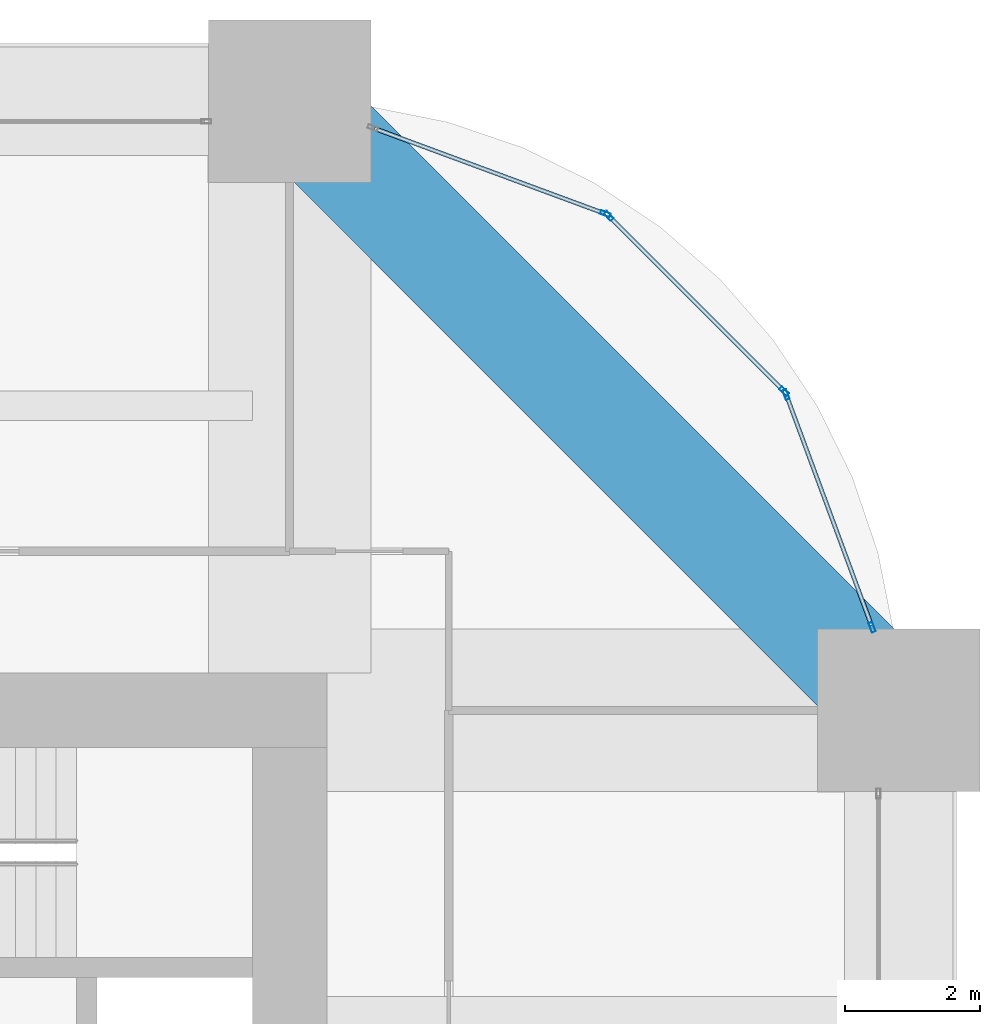
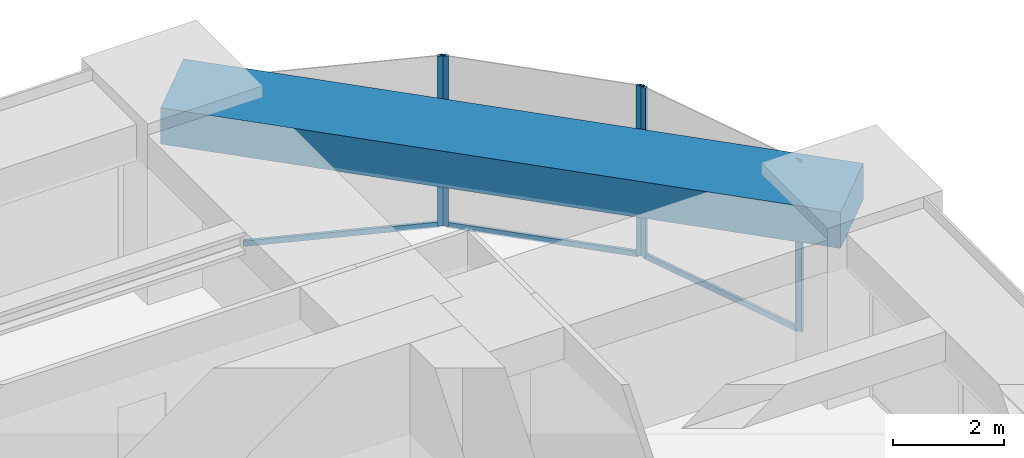
# One storey, part 28 of 34: 8 members, 1 beam, 3 elements without a shape of their own.
"""IFC4 building model written with IfcOpenShell, lengths in metres."""

from ifc_helpers import new_model, si_unit, direction, frame, origin, origin_2d, place, context, subcontext, project, spatial, rectangle, hollow_rectangle, extrude, material, material_profile, profile_set, type_object, element, aggregate, save


model = new_model("IFC4")

# Units and contexts
model_context = context("Model", 3, precision=1e-05, world=origin(), true_north=direction((0.0, 1.0)))
body_context = subcontext(model_context, "Body", "Model", "MODEL_VIEW")
ifc_project = project(units=[si_unit("LENGTHUNIT", "METRE"), si_unit("AREAUNIT", "SQUARE_METRE"), si_unit("VOLUMEUNIT", "CUBIC_METRE"), si_unit("PLANEANGLEUNIT", "RADIAN"), si_unit("MASSUNIT", "GRAM", prefix="KILO")], contexts=[model_context])

# Site, building, storey
site_placement = place(None, origin())
site = spatial("IfcSite", under=ifc_project, at=site_placement, CompositionType="ELEMENT")
building_placement = place(site_placement, origin())
building = spatial("IfcBuilding", under=site, at=building_placement, Name="Zorevar Civic Tower", CompositionType="ELEMENT")
storey_placement = place(building_placement, frame((0.0, 0.0, 226.199951171875)))
storey = spatial("IfcBuildingStorey", under=building, at=storey_placement, Name="L55", CompositionType="ELEMENT", Elevation=226.199951171875)

# Curtain wall, members
ifc_material_1 = material(Name="Dark grey solar-control glass in black aluminium frame", Category="aluminium")
curtain_wall_type = type_object("IfcCurtainWallType", Name="Curtain wall CW4 high zone", PredefinedType="NOTDEFINED", material=ifc_material_1)
curtain_wall_1_placement = place(storey_placement, origin())
curtain_wall_1 = element("IfcCurtainWall", 1, at=curtain_wall_1_placement, inside=storey, type_object=curtain_wall_type, Name="CW4 L55", PredefinedType="NOTDEFINED")
ifc_material_2 = material(Name="Aluminium, black anodised", Category="aluminium")
ifc_material_profile_1 = material_profile(ifc_material_2, hollow_rectangle(XDim=0.06005859375, YDim=0.14990234375, WallThickness=0.00390625, at=origin_2d()), Name="AL 150x60x4")
ifc_profile_set_1 = profile_set([ifc_material_profile_1], Name="Aluminium, black anodised")
member_type_1 = type_object("IfcMemberType", Name="CW4 mullion AL 150x60x4", PredefinedType="MULLION", material=ifc_profile_set_1)
member_1_placement = place(storey_placement, frame((53.6064453125, 37.22802734375, 0.0), z_axis=(0.0, 0.0, 1.0), x_axis=(-0.937974588163, -0.346704012033, 0.0)))
member_1 = element("IfcMember", 2, at=member_1_placement, type_object=member_type_1, Name="CW4 mullion 1", PredefinedType="MULLION", context=body_context, shape_type="SweptSolid", body=[
    extrude(hollow_rectangle(XDim=0.06005859375, YDim=0.14990234375, WallThickness=0.00390625, at=origin_2d()), origin(), (0.0, 0.0, 1.0), 3.75),
])
member_2_placement = place(storey_placement, frame((52.336181640625, 40.66455078125, 0.0), z_axis=(0.0, 0.0, 1.0), x_axis=(-0.937974588163, -0.346704012033, 0.0)))
member_2 = element("IfcMember", 3, at=member_2_placement, type_object=member_type_1, Name="CW4 mullion 2", PredefinedType="MULLION", context=body_context, shape_type="SweptSolid", body=[
    extrude(hollow_rectangle(XDim=0.06005859375, YDim=0.14990234375, WallThickness=0.00390625, at=origin_2d()), origin(), (0.0, 0.0, 1.0), 3.75),
])

curtain_wall_2_placement = place(storey_placement, origin())
curtain_wall_2 = element("IfcCurtainWall", 4, at=curtain_wall_2_placement, inside=storey, type_object=curtain_wall_type, Name="CW4 L55", PredefinedType="NOTDEFINED")
member_3_placement = place(storey_placement, frame((52.3046875, 40.7138671875, 0.0), z_axis=(0.0, 0.0, 1.0), x_axis=(-0.707106781187, -0.707106781187, 0.0)))
member_3 = element("IfcMember", 5, at=member_3_placement, type_object=member_type_1, Name="CW4 mullion 1", PredefinedType="MULLION", context=body_context, shape_type="SweptSolid", body=[
    extrude(hollow_rectangle(XDim=0.06005859375, YDim=0.14990234375, WallThickness=0.00390625, at=origin_2d()), origin(), (0.0, 0.0, 1.0), 3.75),
])
member_4_placement = place(storey_placement, frame((49.7138671875, 43.3046875, 0.0), z_axis=(0.0, 0.0, 1.0), x_axis=(-0.707106781187, -0.707106781187, 0.0)))
member_4 = element("IfcMember", 6, at=member_4_placement, type_object=member_type_1, Name="CW4 mullion 2", PredefinedType="MULLION", context=body_context, shape_type="SweptSolid", body=[
    extrude(hollow_rectangle(XDim=0.06005859375, YDim=0.14990234375, WallThickness=0.00390625, at=origin_2d()), origin(), (0.0, 0.0, 1.0), 3.75),
])

# Curtain wall, member
curtain_wall_3_placement = place(storey_placement, origin())
curtain_wall_3 = element("IfcCurtainWall", 7, at=curtain_wall_3_placement, inside=storey, type_object=curtain_wall_type, Name="CW4 L55", PredefinedType="NOTDEFINED")
member_5_placement = place(storey_placement, frame((49.66455078125, 43.336181640625, 0.0), z_axis=(0.0, 0.0, 1.0), x_axis=(-0.346704012033, -0.937974588163, 0.0)))
member_5 = element("IfcMember", 8, at=member_5_placement, type_object=member_type_1, Name="CW4 mullion 1", PredefinedType="MULLION", context=body_context, shape_type="SweptSolid", body=[
    extrude(hollow_rectangle(XDim=0.06005859375, YDim=0.14990234375, WallThickness=0.00390625, at=origin_2d()), origin(), (0.0, 0.0, 1.0), 3.75),
])

# Member
ifc_material_3 = material(Name="Aluminium, black anodised", Category="aluminium")
ifc_material_profile_2 = material_profile(ifc_material_3, hollow_rectangle(XDim=0.06005859375, YDim=0.1201171875, WallThickness=0.0029296875, at=origin_2d()), Name="AL 120x60x3")
ifc_profile_set_2 = profile_set([ifc_material_profile_2], Name="Aluminium, black anodised")
member_type_2 = type_object("IfcMemberType", Name="CW4 transom AL 120x60x3", PredefinedType="USERDEFINED", material=ifc_profile_set_2)
member_6_placement = place(storey_placement, frame((53.595947265625, 37.25634765625, 0.030029296875), z_axis=(-0.346672169799, 0.93798635741, 0.0), x_axis=(-0.93798635741, -0.346672169799, 0.0)))
member_6 = element("IfcMember", 9, at=member_6_placement, type_object=member_type_2, Name="CW4 sill transom", ObjectType="TRANSOM", PredefinedType="USERDEFINED", context=body_context, shape_type="SweptSolid", body=[
    extrude(hollow_rectangle(XDim=0.06005859375, YDim=0.1201171875, WallThickness=0.0029296875, at=origin_2d()), origin(), (0.0, 0.0, 1.0), 3.603515625),
])

aggregate(curtain_wall_1, [member_1, member_2, member_6])

member_7_placement = place(storey_placement, frame((52.283447265625, 40.735107421875, 0.030029296875), z_axis=(-0.707106781187, 0.707106781187, 0.0), x_axis=(-0.707106781187, -0.707106781187, 0.0)))
member_7 = element("IfcMember", 10, at=member_7_placement, type_object=member_type_2, Name="CW4 sill transom", ObjectType="TRANSOM", PredefinedType="USERDEFINED", context=body_context, shape_type="SweptSolid", body=[
    extrude(hollow_rectangle(XDim=0.06005859375, YDim=0.1201171875, WallThickness=0.0029296875, at=origin_2d()), origin(), (0.0, 0.0, 1.0), 3.60400390625),
])

aggregate(curtain_wall_2, [member_3, member_4, member_7])

member_8_placement = place(storey_placement, frame((49.636474609375, 43.3466796875, 0.030029296875), z_axis=(-0.93798635741, 0.346672169799, 0.0), x_axis=(-0.346672169799, -0.93798635741, 0.0)))
member_8 = element("IfcMember", 11, at=member_8_placement, type_object=member_type_2, Name="CW4 sill transom", ObjectType="TRANSOM", PredefinedType="USERDEFINED", context=body_context, shape_type="SweptSolid", body=[
    extrude(hollow_rectangle(XDim=0.06005859375, YDim=0.1201171875, WallThickness=0.0029296875, at=origin_2d()), origin(), (0.0, 0.0, 1.0), 3.603515625),
])

aggregate(curtain_wall_3, [member_5, member_8])

# Beam
ifc_material_4 = material(Name="Concrete C50/60", Category="concrete")
ifc_material_profile_3 = material_profile(ifc_material_4, rectangle(XDim=1.60009765625, YDim=0.800048828125, at=origin_2d()), Name="RC 1600x800")
ifc_profile_set_3 = profile_set([ifc_material_profile_3], Name="Concrete C50/60")
beam_type = type_object("IfcBeamType", Name="Edge beam RC 1600x800", PredefinedType="SPANDREL", material=ifc_profile_set_3)
beam_placement = place(storey_placement, frame((54.0, 36.0, 3.35009765625), z_axis=(-0.707106781187, 0.707106781187, 0.0), x_axis=(-0.707106781187, -0.707106781187, 0.0)))
element("IfcBeam", 12, at=beam_placement, inside=storey, type_object=beam_type, Name="Corner edge beam L56", PredefinedType="SPANDREL", context=body_context, shape_type="SweptSolid", body=[
    extrude(rectangle(XDim=1.60009765625, YDim=0.800048828125, at=origin_2d()), origin(), (0.0, 0.0, 1.0), 12.72802734375),
])

save(model, "model.ifc")
